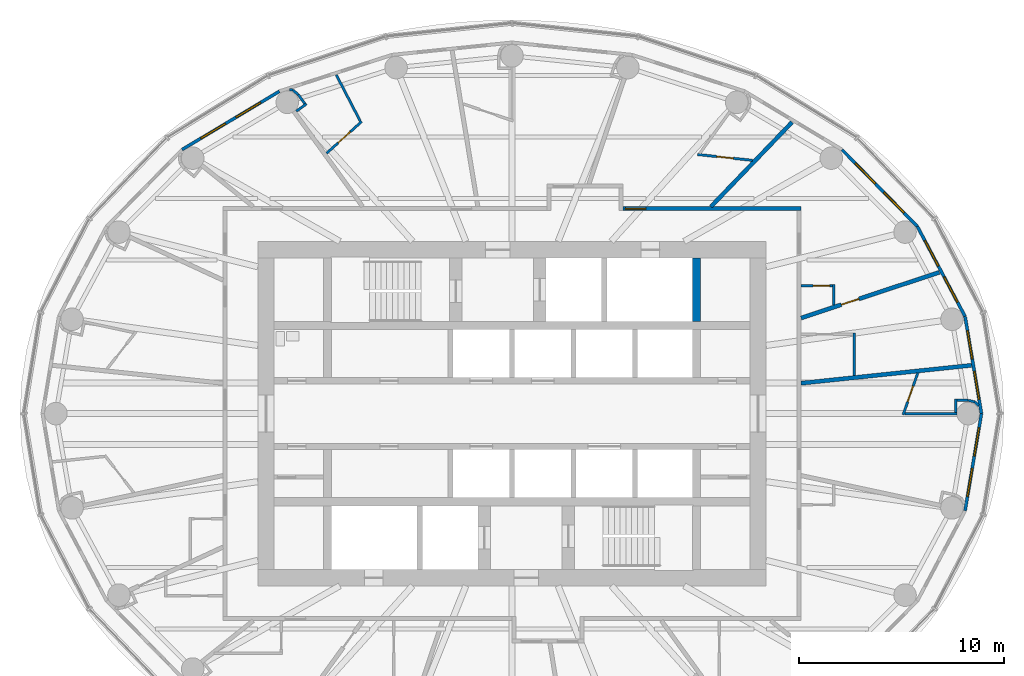
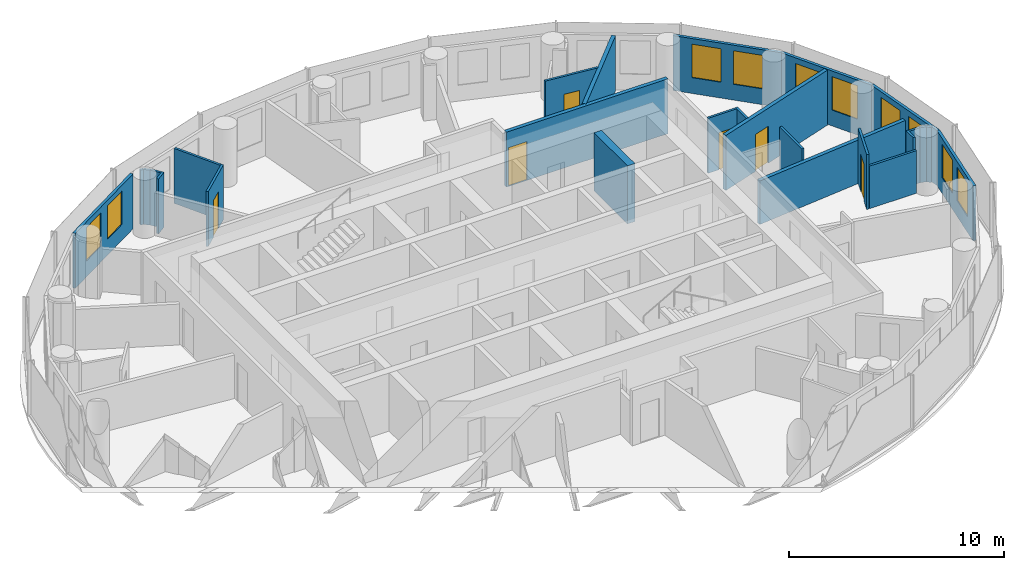
# One storey, part 11 of 14: 26 walls, 10 windows, 6 doors, 16 openings.
"""IFC4 building model written with IfcOpenShell, lengths in metres."""

from ifc_helpers import new_model, si_unit, direction, frame, frame_2d, origin, place, context, subcontext, project, spatial, rectangle, extrude, material, layer, layer_set, type_object, element, fill, save


model = new_model("IFC4")

# Units and contexts
model_context = context("Model", 3, precision=1e-05, world=origin(), true_north=direction((0.0, 1.0)))
body_context = subcontext(model_context, "Body", "Model", "MODEL_VIEW")
ifc_project = project(units=[si_unit("LENGTHUNIT", "METRE"), si_unit("AREAUNIT", "SQUARE_METRE"), si_unit("VOLUMEUNIT", "CUBIC_METRE"), si_unit("PLANEANGLEUNIT", "RADIAN"), si_unit("MASSUNIT", "GRAM", prefix="KILO")], contexts=[model_context])

# Site, building, storey
site_placement = place(None, origin())
site = spatial("IfcSite", under=ifc_project, at=site_placement, CompositionType="ELEMENT")
building_placement = place(site_placement, origin())
building = spatial("IfcBuilding", under=site, at=building_placement, Name="Hankou Lantern Tower", CompositionType="ELEMENT")
storey_placement = place(building_placement, frame((0.0, 0.0, 176.39990234375)))
storey = spatial("IfcBuildingStorey", under=building, at=storey_placement, Name="L47", CompositionType="ELEMENT", Elevation=176.39990234375)

# Wall
ifc_material_1 = material(Name="Concrete C60", Category="concrete")
ifc_layer_1 = layer(ifc_material_1, 0.39990234375)
ifc_layer_set_1 = layer_set([ifc_layer_1], Name="Concrete C60")
wall_type_1 = type_object("IfcWallType", Name="CW4 CORE CROSS WALL 400", PredefinedType="SHEAR", material=ifc_layer_set_1)
wall_1_placement = place(storey_placement, frame((9.0, 4.5, 0.0), z_axis=(0.0, 0.0, 1.0), x_axis=(0.0, 1.0, 0.0)))
element("IfcWall", 1, at=wall_1_placement, inside=storey, type_object=wall_type_1, Name="Core strip wall L47", PredefinedType="SHEAR", context=body_context, shape_type="SweptSolid", body=[
    extrude(rectangle(XDim=3.10009765625, YDim=0.39990234375, at=frame_2d((1.550048828125, 0.0))), origin(), (0.0, 0.0, 1.0), 3.300048828125),
])

# Wall, openings, windows
ifc_material_2 = material(Name="Aluminium spandrel panel on steel studs", Category="steel")
ifc_layer_2 = layer(ifc_material_2, 0.14990234375)
ifc_layer_set_2 = layer_set([ifc_layer_2], Name="Aluminium spandrel panel on steel studs")
wall_type_2 = type_object("IfcWallType", Name="EW1 INNER SKIN WALL 150", PredefinedType="ELEMENTEDWALL", material=ifc_layer_set_2)
wall_2_placement = place(storey_placement, frame((22.89990234375, 0.0, 0.0), z_axis=(0.0, 0.0, 1.0), x_axis=(-0.166162111254, 0.986098449843, 0.0)))
wall_2 = element("IfcWall", 2, at=wall_2_placement, inside=storey, type_object=wall_type_2, Name="Inner skin R01-R02 L47", PredefinedType="ELEMENTEDWALL", context=body_context, shape_type="SweptSolid", body=[
    extrude(rectangle(XDim=4.8046875, YDim=0.14990234375, at=frame_2d((2.40234375, 0.0))), origin(), (0.0, 0.0, 1.0), 3.1201171875),
])
opening_1_placement = place(wall_2_placement, frame((0.7021484375, 0.0, 0.89990234375)))
opening_1 = element("IfcOpeningElement", 3, at=opening_1_placement, cuts=wall_2, Name="Opening W3", PredefinedType="OPENING", context=body_context, shape_type="SweptSolid", body=[
    extrude(rectangle(XDim=1.39990234375, YDim=1.89990234375, at=frame_2d((0.699951171875, 0.949951171875))), frame((0.0, 0.0849609375, 0.0), z_axis=(0.0, -1.0, 0.0), x_axis=(1.0, 0.0, 0.0)), (0.0, 0.0, 1.0), 0.169921875),
])
opening_2_placement = place(wall_2_placement, frame((2.7021484375, 0.0, 0.89990234375)))
opening_2 = element("IfcOpeningElement", 4, at=opening_2_placement, cuts=wall_2, Name="Opening W3", PredefinedType="OPENING", context=body_context, shape_type="SweptSolid", body=[
    extrude(rectangle(XDim=1.39990234375, YDim=1.89990234375, at=frame_2d((0.699951171875, 0.949951171875))), frame((0.0, 0.0849609375, 0.0), z_axis=(0.0, -1.0, 0.0), x_axis=(1.0, 0.0, 0.0)), (0.0, 0.0, 1.0), 0.169921875),
])
ifc_material_3 = material(Name="Aluminium framed double glazed window", Category="aluminium")
window_type = type_object("IfcWindowType", Name="W3 GUEST ROOM WINDOW 1400X1900", PartitioningType="DOUBLE_PANEL_VERTICAL", PredefinedType="WINDOW", material=ifc_material_3)
window_1_placement = place(opening_1_placement, origin())
window_1 = element("IfcWindow", 5, at=window_1_placement, inside=storey, type_object=window_type, Name="Window R01.1 L47", OverallHeight=1.89990234375, OverallWidth=1.39990234375, PartitioningType="SINGLE_PANEL", PredefinedType="WINDOW", context=body_context, shape_type="SweptSolid", body=[
    extrude(rectangle(XDim=1.39990234375, YDim=1.89990234375, at=frame_2d((0.699951171875, 0.949951171875))), frame((0.0, 0.030029296875, 0.0), z_axis=(0.0, -1.0, 0.0), x_axis=(1.0, 0.0, 0.0)), (0.0, 0.0, 1.0), 0.06005859375),
])
fill(opening_1, window_1)
window_2_placement = place(opening_2_placement, origin())
window_2 = element("IfcWindow", 6, at=window_2_placement, inside=storey, type_object=window_type, Name="Window R01.2 L47", OverallHeight=1.89990234375, OverallWidth=1.39990234375, PartitioningType="SINGLE_PANEL", PredefinedType="WINDOW", context=body_context, shape_type="SweptSolid", body=[
    extrude(rectangle(XDim=1.39990234375, YDim=1.89990234375, at=frame_2d((0.699951171875, 0.949951171875))), frame((0.0, 0.030029296875, 0.0), z_axis=(0.0, -1.0, 0.0), x_axis=(1.0, 0.0, 0.0)), (0.0, 0.0, 1.0), 0.06005859375),
])
fill(opening_2, window_2)

wall_3_placement = place(storey_placement, frame((22.1015625, 4.73779296875, 0.0), z_axis=(0.0, 0.0, 1.0), x_axis=(-0.468428906714, 0.883501193748, 0.0)))
wall_3 = element("IfcWall", 7, at=wall_3_placement, inside=storey, type_object=wall_type_2, Name="Inner skin R02-R03 L47", PredefinedType="ELEMENTEDWALL", context=body_context, shape_type="SweptSolid", body=[
    extrude(rectangle(XDim=4.9736328125, YDim=0.14990234375, at=frame_2d((2.48681640625, 0.0))), origin(), (0.0, 0.0, 1.0), 3.1201171875),
])
opening_3_placement = place(wall_3_placement, frame((0.786865234375, 0.0, 0.89990234375)))
opening_3 = element("IfcOpeningElement", 8, at=opening_3_placement, cuts=wall_3, Name="Opening W3", PredefinedType="OPENING", context=body_context, shape_type="SweptSolid", body=[
    extrude(rectangle(XDim=1.39990234375, YDim=1.89990234375, at=frame_2d((0.699951171875, 0.949951171875))), frame((0.0, 0.0849609375, 0.0), z_axis=(0.0, -1.0, 0.0), x_axis=(1.0, 0.0, 0.0)), (0.0, 0.0, 1.0), 0.169921875),
])
opening_4_placement = place(wall_3_placement, frame((2.786865234375, 0.0, 0.89990234375)))
opening_4 = element("IfcOpeningElement", 9, at=opening_4_placement, cuts=wall_3, Name="Opening W3", PredefinedType="OPENING", context=body_context, shape_type="SweptSolid", body=[
    extrude(rectangle(XDim=1.39990234375, YDim=1.89990234375, at=frame_2d((0.699951171875, 0.949951171875))), frame((0.0, 0.0849609375, 0.0), z_axis=(0.0, -1.0, 0.0), x_axis=(1.0, 0.0, 0.0)), (0.0, 0.0, 1.0), 0.169921875),
])
window_3_placement = place(opening_3_placement, origin())
window_3 = element("IfcWindow", 10, at=window_3_placement, inside=storey, type_object=window_type, Name="Window R02.1 L47", OverallHeight=1.89990234375, OverallWidth=1.39990234375, PartitioningType="SINGLE_PANEL", PredefinedType="WINDOW", context=body_context, shape_type="SweptSolid", body=[
    extrude(rectangle(XDim=1.39990234375, YDim=1.89990234375, at=frame_2d((0.699951171875, 0.949951171875))), frame((0.0, 0.030029296875, 0.0), z_axis=(0.0, -1.0, 0.0), x_axis=(1.0, 0.0, 0.0)), (0.0, 0.0, 1.0), 0.06005859375),
])
fill(opening_3, window_3)
window_4_placement = place(opening_4_placement, origin())
window_4 = element("IfcWindow", 11, at=window_4_placement, inside=storey, type_object=window_type, Name="Window R02.2 L47", OverallHeight=1.89990234375, OverallWidth=1.39990234375, PartitioningType="SINGLE_PANEL", PredefinedType="WINDOW", context=body_context, shape_type="SweptSolid", body=[
    extrude(rectangle(XDim=1.39990234375, YDim=1.89990234375, at=frame_2d((0.699951171875, 0.949951171875))), frame((0.0, 0.030029296875, 0.0), z_axis=(0.0, -1.0, 0.0), x_axis=(1.0, 0.0, 0.0)), (0.0, 0.0, 1.0), 0.06005859375),
])
fill(opening_4, window_4)

wall_4_placement = place(storey_placement, frame((19.771728515625, 9.132080078125, 0.0), z_axis=(0.0, 0.0, 1.0), x_axis=(-0.700727467776, 0.71342905457, 0.0)))
wall_4 = element("IfcWall", 12, at=wall_4_placement, inside=storey, type_object=wall_type_2, Name="Inner skin R03-R04 L47", PredefinedType="ELEMENTEDWALL", context=body_context, shape_type="SweptSolid", body=[
    extrude(rectangle(XDim=5.247314453125, YDim=0.14990234375, at=frame_2d((2.62353515625, 0.0))), origin(), (0.0, 0.0, 1.0), 3.1201171875),
])
opening_5_placement = place(wall_4_placement, frame((0.923583984375, 0.0, 0.89990234375)))
opening_5 = element("IfcOpeningElement", 13, at=opening_5_placement, cuts=wall_4, Name="Opening W3", PredefinedType="OPENING", context=body_context, shape_type="SweptSolid", body=[
    extrude(rectangle(XDim=1.39990234375, YDim=1.89990234375, at=frame_2d((0.699951171875, 0.949951171875))), frame((0.0, 0.0849609375, 0.0), z_axis=(0.0, -1.0, 0.0), x_axis=(1.0, 0.0, 0.0)), (0.0, 0.0, 1.0), 0.169921875),
])
opening_6_placement = place(wall_4_placement, frame((2.923583984375, 0.0, 0.89990234375)))
opening_6 = element("IfcOpeningElement", 14, at=opening_6_placement, cuts=wall_4, Name="Opening W3", PredefinedType="OPENING", context=body_context, shape_type="SweptSolid", body=[
    extrude(rectangle(XDim=1.39990234375, YDim=1.89990234375, at=frame_2d((0.699951171875, 0.949951171875))), frame((0.0, 0.0849609375, 0.0), z_axis=(0.0, -1.0, 0.0), x_axis=(1.0, 0.0, 0.0)), (0.0, 0.0, 1.0), 0.169921875),
])
window_5_placement = place(opening_5_placement, origin())
window_5 = element("IfcWindow", 15, at=window_5_placement, inside=storey, type_object=window_type, Name="Window R03.1 L47", OverallHeight=1.89990234375, OverallWidth=1.39990234375, PartitioningType="SINGLE_PANEL", PredefinedType="WINDOW", context=body_context, shape_type="SweptSolid", body=[
    extrude(rectangle(XDim=1.39990234375, YDim=1.89990234375, at=frame_2d((0.699951171875, 0.949951171875))), frame((0.0, 0.030029296875, 0.0), z_axis=(0.0, -1.0, 0.0), x_axis=(1.0, 0.0, 0.0)), (0.0, 0.0, 1.0), 0.06005859375),
])
fill(opening_5, window_5)
window_6_placement = place(opening_6_placement, origin())
window_6 = element("IfcWindow", 16, at=window_6_placement, inside=storey, type_object=window_type, Name="Window R03.2 L47", OverallHeight=1.89990234375, OverallWidth=1.39990234375, PartitioningType="SINGLE_PANEL", PredefinedType="WINDOW", context=body_context, shape_type="SweptSolid", body=[
    extrude(rectangle(XDim=1.39990234375, YDim=1.89990234375, at=frame_2d((0.699951171875, 0.949951171875))), frame((0.0, 0.030029296875, 0.0), z_axis=(0.0, -1.0, 0.0), x_axis=(1.0, 0.0, 0.0)), (0.0, 0.0, 1.0), 0.06005859375),
])
fill(opening_6, window_6)

wall_5_placement = place(storey_placement, frame((-11.346435546875, 15.72216796875, 0.0), z_axis=(0.0, 0.0, 1.0), x_axis=(-0.857695199231, -0.514158482587, 0.0)))
wall_5 = element("IfcWall", 17, at=wall_5_placement, inside=storey, type_object=wall_type_2, Name="Inner skin R09-R10 L47", PredefinedType="ELEMENTEDWALL", context=body_context, shape_type="SweptSolid", body=[
    extrude(rectangle(XDim=5.5361328125, YDim=0.14990234375, at=frame_2d((2.76806640625, 0.0))), origin(), (0.0, 0.0, 1.0), 3.1201171875),
])
opening_7_placement = place(wall_5_placement, frame((1.068115234375, 0.0, 0.89990234375)))
opening_7 = element("IfcOpeningElement", 18, at=opening_7_placement, cuts=wall_5, Name="Opening W3", PredefinedType="OPENING", context=body_context, shape_type="SweptSolid", body=[
    extrude(rectangle(XDim=1.39990234375, YDim=1.89990234375, at=frame_2d((0.699951171875, 0.949951171875))), frame((0.0, 0.0849609375, 0.0), z_axis=(0.0, -1.0, 0.0), x_axis=(1.0, 0.0, 0.0)), (0.0, 0.0, 1.0), 0.169921875),
])
opening_8_placement = place(wall_5_placement, frame((3.068115234375, 0.0, 0.89990234375)))
opening_8 = element("IfcOpeningElement", 19, at=opening_8_placement, cuts=wall_5, Name="Opening W3", PredefinedType="OPENING", context=body_context, shape_type="SweptSolid", body=[
    extrude(rectangle(XDim=1.39990234375, YDim=1.89990234375, at=frame_2d((0.699951171875, 0.949951171875))), frame((0.0, 0.0849609375, 0.0), z_axis=(0.0, -1.0, 0.0), x_axis=(1.0, 0.0, 0.0)), (0.0, 0.0, 1.0), 0.169921875),
])
window_7_placement = place(opening_7_placement, origin())
window_7 = element("IfcWindow", 20, at=window_7_placement, inside=storey, type_object=window_type, Name="Window R09.1 L47", OverallHeight=1.89990234375, OverallWidth=1.39990234375, PartitioningType="SINGLE_PANEL", PredefinedType="WINDOW", context=body_context, shape_type="SweptSolid", body=[
    extrude(rectangle(XDim=1.39990234375, YDim=1.89990234375, at=frame_2d((0.699951171875, 0.949951171875))), frame((0.0, 0.030029296875, 0.0), z_axis=(0.0, -1.0, 0.0), x_axis=(1.0, 0.0, 0.0)), (0.0, 0.0, 1.0), 0.06005859375),
])
fill(opening_7, window_7)
window_8_placement = place(opening_8_placement, origin())
window_8 = element("IfcWindow", 21, at=window_8_placement, inside=storey, type_object=window_type, Name="Window R09.2 L47", OverallHeight=1.89990234375, OverallWidth=1.39990234375, PartitioningType="SINGLE_PANEL", PredefinedType="WINDOW", context=body_context, shape_type="SweptSolid", body=[
    extrude(rectangle(XDim=1.39990234375, YDim=1.89990234375, at=frame_2d((0.699951171875, 0.949951171875))), frame((0.0, 0.030029296875, 0.0), z_axis=(0.0, -1.0, 0.0), x_axis=(1.0, 0.0, 0.0)), (0.0, 0.0, 1.0), 0.06005859375),
])
fill(opening_8, window_8)

wall_6_placement = place(storey_placement, frame((22.1015625, -4.73779296875, 0.0), z_axis=(0.0, 0.0, 1.0), x_axis=(0.166162111254, 0.986098449843, 0.0)))
wall_6 = element("IfcWall", 22, at=wall_6_placement, inside=storey, type_object=wall_type_2, Name="Inner skin R24-R01 L47", PredefinedType="ELEMENTEDWALL", context=body_context, shape_type="SweptSolid", body=[
    extrude(rectangle(XDim=4.8046875, YDim=0.14990234375, at=frame_2d((2.40234375, 0.0))), origin(), (0.0, 0.0, 1.0), 3.1201171875),
])
opening_9_placement = place(wall_6_placement, frame((0.7021484375, 0.0, 0.89990234375)))
opening_9 = element("IfcOpeningElement", 23, at=opening_9_placement, cuts=wall_6, Name="Opening W3", PredefinedType="OPENING", context=body_context, shape_type="SweptSolid", body=[
    extrude(rectangle(XDim=1.39990234375, YDim=1.89990234375, at=frame_2d((0.699951171875, 0.949951171875))), frame((0.0, 0.0849609375, 0.0), z_axis=(0.0, -1.0, 0.0), x_axis=(1.0, 0.0, 0.0)), (0.0, 0.0, 1.0), 0.169921875),
])
opening_10_placement = place(wall_6_placement, frame((2.7021484375, 0.0, 0.89990234375)))
opening_10 = element("IfcOpeningElement", 24, at=opening_10_placement, cuts=wall_6, Name="Opening W3", PredefinedType="OPENING", context=body_context, shape_type="SweptSolid", body=[
    extrude(rectangle(XDim=1.39990234375, YDim=1.89990234375, at=frame_2d((0.699951171875, 0.949951171875))), frame((0.0, 0.0849609375, 0.0), z_axis=(0.0, -1.0, 0.0), x_axis=(1.0, 0.0, 0.0)), (0.0, 0.0, 1.0), 0.169921875),
])
window_9_placement = place(opening_9_placement, origin())
window_9 = element("IfcWindow", 25, at=window_9_placement, inside=storey, type_object=window_type, Name="Window R24.1 L47", OverallHeight=1.89990234375, OverallWidth=1.39990234375, PartitioningType="SINGLE_PANEL", PredefinedType="WINDOW", context=body_context, shape_type="SweptSolid", body=[
    extrude(rectangle(XDim=1.39990234375, YDim=1.89990234375, at=frame_2d((0.699951171875, 0.949951171875))), frame((0.0, 0.030029296875, 0.0), z_axis=(0.0, -1.0, 0.0), x_axis=(1.0, 0.0, 0.0)), (0.0, 0.0, 1.0), 0.06005859375),
])
fill(opening_9, window_9)
window_10_placement = place(opening_10_placement, origin())
window_10 = element("IfcWindow", 26, at=window_10_placement, inside=storey, type_object=window_type, Name="Window R24.2 L47", OverallHeight=1.89990234375, OverallWidth=1.39990234375, PartitioningType="SINGLE_PANEL", PredefinedType="WINDOW", context=body_context, shape_type="SweptSolid", body=[
    extrude(rectangle(XDim=1.39990234375, YDim=1.89990234375, at=frame_2d((0.699951171875, 0.949951171875))), frame((0.0, 0.030029296875, 0.0), z_axis=(0.0, -1.0, 0.0), x_axis=(1.0, 0.0, 0.0)), (0.0, 0.0, 1.0), 0.06005859375),
])
fill(opening_10, window_10)

# Walls
ifc_material_4 = material(Name="Masonry lightweight concrete block", Category="masonry")
ifc_layer_3 = layer(ifc_material_4, 0.199951171875)
ifc_layer_set_3 = layer_set([ifc_layer_3], Name="Masonry lightweight concrete block")
wall_type_3 = type_object("IfcWallType", Name="IW1 GUEST ROOM PARTY WALL 200", PredefinedType="PARTITIONING", material=ifc_layer_set_3)
wall_7_placement = place(storey_placement, frame((14.10009765625, 1.4814453125, 0.0), z_axis=(0.0, 0.0, 1.0), x_axis=(0.994524794819, 0.104500873159, 0.0)))
element("IfcWall", 27, at=wall_7_placement, inside=storey, type_object=wall_type_3, Name="Party wall R01-R02", PredefinedType="PARTITIONING", context=body_context, shape_type="SweptSolid", body=[
    extrude(rectangle(XDim=8.361572265625, YDim=0.199951171875, at=frame_2d((4.1806640625, 0.0))), origin(), (0.0, 0.0, 1.0), 2.47021484375),
])
wall_8_placement = place(storey_placement, frame((9.7080078125, 10.10009765625, 0.0), z_axis=(0.0, 0.0, 1.0), x_axis=(0.692978748441, 0.720958011405, 0.0)))
element("IfcWall", 28, at=wall_8_placement, inside=storey, type_object=wall_type_3, Name="Party wall R04-R05", PredefinedType="PARTITIONING", context=body_context, shape_type="SweptSolid", body=[
    extrude(rectangle(XDim=5.70654296875, YDim=0.199951171875, at=frame_2d((2.853271484375, 0.0))), origin(), (0.0, 0.0, 1.0), 3.1201171875),
])

# Wall, opening, door
ifc_material_5 = material(Name="Masonry lightweight concrete block", Category="masonry")
ifc_layer_4 = layer(ifc_material_5, 0.199951171875)
ifc_layer_set_4 = layer_set([ifc_layer_4], Name="Masonry lightweight concrete block")
wall_type_4 = type_object("IfcWallType", Name="IW2 CORRIDOR WALL 200", PredefinedType="PARTITIONING", material=ifc_layer_set_4)
wall_9_placement = place(storey_placement, frame((5.4267578125, 10.0, 0.0), z_axis=(0.0, 0.0, 1.0), x_axis=(1.0, 0.0, 0.0)))
wall_9 = element("IfcWall", 29, at=wall_9_placement, inside=storey, type_object=wall_type_4, Name="Corridor wall north", PredefinedType="PARTITIONING", context=body_context, shape_type="SweptSolid", body=[
    extrude(rectangle(XDim=8.67333984375, YDim=0.199951171875, at=frame_2d((4.336669921875, 0.0))), origin(), (0.0, 0.0, 1.0), 3.1201171875),
])
opening_11_placement = place(wall_9_placement, frame((0.10009765625, 0.0, 0.0)))
opening_11 = element("IfcOpeningElement", 30, at=opening_11_placement, cuts=wall_9, Name="Opening D1", PredefinedType="OPENING", context=body_context, shape_type="SweptSolid", body=[
    extrude(rectangle(XDim=1.0, YDim=2.199951171875, at=frame_2d((0.5, 1.10009765625))), frame((0.0, 0.10986328125, 0.0), z_axis=(0.0, -1.0, 0.0), x_axis=(1.0, 0.0, 0.0)), (0.0, 0.0, 1.0), 0.219970703125),
])
ifc_material_6 = material(Name="Steel door leaf", Category="steel")
door_type_1 = type_object("IfcDoorType", Name="D1 GUEST ROOM DOOR 1000X2200", OperationType="SINGLE_SWING_LEFT", PredefinedType="DOOR", material=ifc_material_6)
door_1_placement = place(opening_11_placement, origin())
door_1 = element("IfcDoor", 31, at=door_1_placement, inside=storey, type_object=door_type_1, Name="Guest room door 4708", OperationType="SINGLE_SWING_LEFT", OverallHeight=2.199951171875, OverallWidth=1.0, PredefinedType="DOOR", context=body_context, shape_type="SweptSolid", body=[
    extrude(rectangle(XDim=1.0, YDim=2.199951171875, at=frame_2d((0.5, 1.10009765625))), frame((0.0, 0.02490234375, 0.0), z_axis=(0.0, -1.0, 0.0), x_axis=(1.0, 0.0, 0.0)), (0.0, 0.0, 1.0), 0.050048828125),
])
fill(opening_11, door_1)

ifc_material_7 = material(Name="Masonry lightweight concrete block", Category="masonry")
ifc_layer_5 = layer(ifc_material_7, 0.1201171875)
ifc_layer_set_5 = layer_set([ifc_layer_5], Name="Masonry lightweight concrete block")
wall_type_5 = type_object("IfcWallType", Name="IW3 BATHROOM WALL 120", PredefinedType="PARTITIONING", material=ifc_layer_set_5)
wall_10_placement = place(storey_placement, frame((19.793212890625, 1.979248046875, 0.0), z_axis=(0.0, 0.0, 1.0), x_axis=(-0.330587353123, -0.943775398045, 0.0)))
wall_10 = element("IfcWall", 32, at=wall_10_placement, inside=storey, type_object=wall_type_5, Name="Box wall 4706 1", PredefinedType="PARTITIONING", context=body_context, shape_type="SweptSolid", body=[
    extrude(rectangle(XDim=2.1572265625, YDim=0.1201171875, at=frame_2d((1.07861328125, 0.0))), origin(), (0.0, 0.0, 1.0), 3.1201171875),
])
opening_12_placement = place(wall_10_placement, frame((0.678466796875, 0.0, 0.0)))
opening_12 = element("IfcOpeningElement", 33, at=opening_12_placement, cuts=wall_10, Name="Opening D3", PredefinedType="OPENING", context=body_context, shape_type="SweptSolid", body=[
    extrude(rectangle(XDim=0.800048828125, YDim=2.10009765625, at=frame_2d((0.39990234375, 1.050048828125))), frame((0.0, 0.070068359375, 0.0), z_axis=(0.0, -1.0, 0.0), x_axis=(1.0, 0.0, 0.0)), (0.0, 0.0, 1.0), 0.14013671875),
])
ifc_material_8 = material(Name="Timber door leaf", Category="wood")
door_type_2 = type_object("IfcDoorType", Name="D3 BATHROOM DOOR 800X2100", OperationType="SINGLE_SWING_LEFT", PredefinedType="DOOR", material=ifc_material_8)
door_2_placement = place(opening_12_placement, origin())
door_2 = element("IfcDoor", 34, at=door_2_placement, inside=storey, type_object=door_type_2, Name="En-suite bathroom 4706 door", OperationType="SINGLE_SWING_RIGHT", OverallHeight=2.10009765625, OverallWidth=0.800048828125, PredefinedType="DOOR", context=body_context, shape_type="SweptSolid", body=[
    extrude(rectangle(XDim=0.800048828125, YDim=2.10009765625, at=frame_2d((0.39990234375, 1.050048828125))), frame((0.0, 0.02490234375, 0.0), z_axis=(0.0, -1.0, 0.0), x_axis=(1.0, 0.0, 0.0)), (0.0, 0.0, 1.0), 0.050048828125),
])
fill(opening_12, door_2)

# Walls
wall_11_placement = place(storey_placement, frame((19.159912109375, 0.0, 0.0), z_axis=(0.0, 0.0, 1.0), x_axis=(1.0, 0.0, 0.0)))
element("IfcWall", 35, at=wall_11_placement, inside=storey, type_object=wall_type_5, Name="Box wall 4706 2", PredefinedType="PARTITIONING", context=body_context, shape_type="SweptSolid", body=[
    extrude(rectangle(XDim=2.5400390625, YDim=0.1201171875, at=frame_2d((1.27001953125, 0.0))), origin(), (0.0, 0.0, 1.0), 2.420166015625),
])
wall_12_placement = place(storey_placement, frame((21.639892578125, 0.06005859375, 0.0), z_axis=(0.0, 0.0, 1.0), x_axis=(0.0, 1.0, 0.0)))
element("IfcWall", 36, at=wall_12_placement, inside=storey, type_object=wall_type_5, Name="Column casing 4706 return", PredefinedType="PARTITIONING", context=body_context, shape_type="SweptSolid", body=[
    extrude(rectangle(XDim=0.652099609375, YDim=0.1201171875, at=frame_2d((0.326171875, 0.0))), origin(), (0.0, 0.0, 1.0), 3.1201171875),
])
wall_13_placement = place(storey_placement, frame((21.699951171875, 0.65234375, 0.0), z_axis=(0.0, 0.0, 1.0), x_axis=(1.0, 0.0, 0.0)))
element("IfcWall", 37, at=wall_13_placement, inside=storey, type_object=wall_type_5, Name="Column casing 4706", PredefinedType="PARTITIONING", context=body_context, shape_type="SweptSolid", body=[
    extrude(rectangle(XDim=0.550048828125, YDim=0.1201171875, at=frame_2d((0.27490234375, 0.0))), origin(), (0.0, 0.0, 1.0), 3.1201171875),
])
wall_14_placement = place(storey_placement, frame((22.25, 0.65234375, 0.0), z_axis=(0.0, 0.0, 1.0), x_axis=(0.965922233104, -0.258832454679, 0.0)))
element("IfcWall", 38, at=wall_14_placement, inside=storey, type_object=wall_type_5, Name="Column casing 4706", PredefinedType="PARTITIONING", context=body_context, shape_type="SweptSolid", body=[
    extrude(rectangle(XDim=0.337646484375, YDim=0.1201171875, at=frame_2d((0.1689453125, 0.0))), origin(), (0.0, 0.0, 1.0), 3.1201171875),
])
wall_15_placement = place(storey_placement, frame((22.576171875, 0.56494140625, 0.0), z_axis=(0.0, 0.0, 1.0), x_axis=(0.706639272724, -0.707573980757, 0.0)))
element("IfcWall", 39, at=wall_15_placement, inside=storey, type_object=wall_type_5, Name="Column casing 4706", PredefinedType="PARTITIONING", context=body_context, shape_type="SweptSolid", body=[
    extrude(rectangle(XDim=0.26123046875, YDim=0.1201171875, at=frame_2d((0.130615234375, 0.0))), origin(), (0.0, 0.0, 1.0), 3.1201171875),
])
wall_16_placement = place(storey_placement, frame((16.699951171875, 1.854736328125, 0.0), z_axis=(0.0, 0.0, 1.0), x_axis=(0.0, 1.0, 0.0)))
element("IfcWall", 40, at=wall_16_placement, inside=storey, type_object=wall_type_5, Name="Box wall 4707A 1", PredefinedType="PARTITIONING", context=body_context, shape_type="SweptSolid", body=[
    extrude(rectangle(XDim=2.066650390625, YDim=0.1201171875, at=frame_2d((1.033203125, 0.0))), origin(), (0.0, 0.0, 1.0), 3.1201171875),
])
wall_17_placement = place(storey_placement, frame((15.699951171875, 5.29052734375, 0.0), z_axis=(0.0, 0.0, 1.0), x_axis=(0.0, 1.0, 0.0)))
element("IfcWall", 41, at=wall_17_placement, inside=storey, type_object=wall_type_5, Name="Box wall 4707C 1", PredefinedType="PARTITIONING", context=body_context, shape_type="SweptSolid", body=[
    extrude(rectangle(XDim=1.010986328125, YDim=0.1201171875, at=frame_2d((0.50537109375, 0.0))), origin(), (0.0, 0.0, 1.0), 3.1201171875),
])

# Wall, opening, door
wall_18_placement = place(storey_placement, frame((14.10009765625, 6.241455078125, 0.0), z_axis=(0.0, 0.0, 1.0), x_axis=(1.0, 0.0, 0.0)))
wall_18 = element("IfcWall", 42, at=wall_18_placement, inside=storey, type_object=wall_type_5, Name="Box wall 4707C 1", PredefinedType="PARTITIONING", context=body_context, shape_type="SweptSolid", body=[
    extrude(rectangle(XDim=1.539794921875, YDim=0.1201171875, at=frame_2d((0.77001953125, 0.0))), origin(), (0.0, 0.0, 1.0), 3.1201171875),
])
opening_13_placement = place(wall_18_placement, frame((0.590087890625, 0.0, 0.0)))
opening_13 = element("IfcOpeningElement", 43, at=opening_13_placement, cuts=wall_18, Name="Opening D3", PredefinedType="OPENING", context=body_context, shape_type="SweptSolid", body=[
    extrude(rectangle(XDim=0.800048828125, YDim=2.10009765625, at=frame_2d((0.39990234375, 1.050048828125))), frame((0.0, 0.070068359375, 0.0), z_axis=(0.0, -1.0, 0.0), x_axis=(1.0, 0.0, 0.0)), (0.0, 0.0, 1.0), 0.14013671875),
])
door_3_placement = place(opening_13_placement, origin())
door_3 = element("IfcDoor", 44, at=door_3_placement, inside=storey, type_object=door_type_2, Name="Corner suite 4707 guest WC door", OperationType="SINGLE_SWING_LEFT", OverallHeight=2.10009765625, OverallWidth=0.800048828125, PredefinedType="DOOR", context=body_context, shape_type="SweptSolid", body=[
    extrude(rectangle(XDim=0.800048828125, YDim=2.10009765625, at=frame_2d((0.39990234375, 1.050048828125))), frame((0.0, 0.02490234375, 0.0), z_axis=(0.0, -1.0, 0.0), x_axis=(1.0, 0.0, 0.0)), (0.0, 0.0, 1.0), 0.050048828125),
])
fill(opening_13, door_3)

wall_19_placement = place(storey_placement, frame((11.735107421875, 12.353271484375, 0.0), z_axis=(0.0, 0.0, 1.0), x_axis=(-0.994390130276, 0.105774613256, 0.0)))
wall_19 = element("IfcWall", 45, at=wall_19_placement, inside=storey, type_object=wall_type_5, Name="Box wall 4708 1", PredefinedType="PARTITIONING", context=body_context, shape_type="SweptSolid", body=[
    extrude(rectangle(XDim=2.693603515625, YDim=0.1201171875, at=frame_2d((1.3466796875, 0.0))), origin(), (0.0, 0.0, 1.0), 3.1201171875),
])
opening_14_placement = place(wall_19_placement, frame((0.94677734375, 0.0, 0.0)))
opening_14 = element("IfcOpeningElement", 46, at=opening_14_placement, cuts=wall_19, Name="Opening D3", PredefinedType="OPENING", context=body_context, shape_type="SweptSolid", body=[
    extrude(rectangle(XDim=0.800048828125, YDim=2.10009765625, at=frame_2d((0.39990234375, 1.050048828125))), frame((0.0, 0.070068359375, 0.0), z_axis=(0.0, -1.0, 0.0), x_axis=(1.0, 0.0, 0.0)), (0.0, 0.0, 1.0), 0.14013671875),
])
door_4_placement = place(opening_14_placement, origin())
door_4 = element("IfcDoor", 47, at=door_4_placement, inside=storey, type_object=door_type_2, Name="En-suite bathroom 4708 door", OperationType="SINGLE_SWING_LEFT", OverallHeight=2.10009765625, OverallWidth=0.800048828125, PredefinedType="DOOR", context=body_context, shape_type="SweptSolid", body=[
    extrude(rectangle(XDim=0.800048828125, YDim=2.10009765625, at=frame_2d((0.39990234375, 1.050048828125))), frame((0.0, 0.02490234375, 0.0), z_axis=(0.0, -1.0, 0.0), x_axis=(1.0, 0.0, 0.0)), (0.0, 0.0, 1.0), 0.050048828125),
])
fill(opening_14, door_4)

wall_20_placement = place(storey_placement, frame((-9.041748046875, 12.699462890625, 0.0), z_axis=(0.0, 0.0, 1.0), x_axis=(0.741100257539, 0.671394376112, 0.0)))
wall_20 = element("IfcWall", 48, at=wall_20_placement, inside=storey, type_object=wall_type_5, Name="Box wall 4710 1", PredefinedType="PARTITIONING", context=body_context, shape_type="SweptSolid", body=[
    extrude(rectangle(XDim=2.3115234375, YDim=0.1201171875, at=frame_2d((1.15576171875, 0.0))), origin(), (0.0, 0.0, 1.0), 3.1201171875),
])
opening_15_placement = place(wall_20_placement, frame((0.755859375, 0.0, 0.0)))
opening_15 = element("IfcOpeningElement", 49, at=opening_15_placement, cuts=wall_20, Name="Opening D3", PredefinedType="OPENING", context=body_context, shape_type="SweptSolid", body=[
    extrude(rectangle(XDim=0.800048828125, YDim=2.10009765625, at=frame_2d((0.39990234375, 1.050048828125))), frame((0.0, 0.070068359375, 0.0), z_axis=(0.0, -1.0, 0.0), x_axis=(1.0, 0.0, 0.0)), (0.0, 0.0, 1.0), 0.14013671875),
])
door_5_placement = place(opening_15_placement, origin())
door_5 = element("IfcDoor", 50, at=door_5_placement, inside=storey, type_object=door_type_2, Name="En-suite bathroom 4710 door", OperationType="SINGLE_SWING_RIGHT", OverallHeight=2.10009765625, OverallWidth=0.800048828125, PredefinedType="DOOR", context=body_context, shape_type="SweptSolid", body=[
    extrude(rectangle(XDim=0.800048828125, YDim=2.10009765625, at=frame_2d((0.39990234375, 1.050048828125))), frame((0.0, 0.02490234375, 0.0), z_axis=(0.0, -1.0, 0.0), x_axis=(1.0, 0.0, 0.0)), (0.0, 0.0, 1.0), 0.050048828125),
])
fill(opening_15, door_5)

# Walls
wall_21_placement = place(storey_placement, frame((-7.400634765625, 14.264404296875, 0.0), z_axis=(0.0, 0.0, 1.0), x_axis=(-0.460505131319, 0.887657041897, 0.0)))
element("IfcWall", 51, at=wall_21_placement, inside=storey, type_object=wall_type_5, Name="Box wall 4710 2", PredefinedType="PARTITIONING", context=body_context, shape_type="SweptSolid", body=[
    extrude(rectangle(XDim=2.5400390625, YDim=0.1201171875, at=frame_2d((1.27001953125, 0.0))), origin(), (0.0, 0.0, 1.0), 3.1201171875),
])
wall_22_placement = place(storey_placement, frame((-10.521728515625, 14.750244140625, 0.0), z_axis=(0.0, 0.0, 1.0), x_axis=(0.811057588427, 0.584966313777, 0.0)))
element("IfcWall", 52, at=wall_22_placement, inside=storey, type_object=wall_type_5, Name="Column casing 4710 return", PredefinedType="PARTITIONING", context=body_context, shape_type="SweptSolid", body=[
    extrude(rectangle(XDim=0.6123046875, YDim=0.1201171875, at=frame_2d((0.30615234375, 0.0))), origin(), (0.0, 0.0, 1.0), 3.1201171875),
])
wall_23_placement = place(storey_placement, frame((-10.10888671875, 15.121826171875, 0.0), z_axis=(0.0, 0.0, 1.0), x_axis=(-0.585344718358, 0.810784534072, 0.0)))
element("IfcWall", 53, at=wall_23_placement, inside=storey, type_object=wall_type_5, Name="Column casing 4710", PredefinedType="PARTITIONING", context=body_context, shape_type="SweptSolid", body=[
    extrude(rectangle(XDim=0.550048828125, YDim=0.1201171875, at=frame_2d((0.27490234375, 0.0))), origin(), (0.0, 0.0, 1.0), 3.1201171875),
])
wall_24_placement = place(storey_placement, frame((-10.430908203125, 15.56787109375, 0.0), z_axis=(0.0, 0.0, 1.0), x_axis=(-0.77505137267, 0.631898227345, 0.0)))
element("IfcWall", 54, at=wall_24_placement, inside=storey, type_object=wall_type_5, Name="Column casing 4710", PredefinedType="PARTITIONING", context=body_context, shape_type="SweptSolid", body=[
    extrude(rectangle(XDim=0.337646484375, YDim=0.1201171875, at=frame_2d((0.1689453125, 0.0))), origin(), (0.0, 0.0, 1.0), 3.1201171875),
])
wall_25_placement = place(storey_placement, frame((-10.692626953125, 15.78125, 0.0), z_axis=(0.0, 0.0, 1.0), x_axis=(-0.987256785332, 0.159135287777, 0.0)))
element("IfcWall", 55, at=wall_25_placement, inside=storey, type_object=wall_type_5, Name="Column casing 4710", PredefinedType="PARTITIONING", context=body_context, shape_type="SweptSolid", body=[
    extrude(rectangle(XDim=0.157958984375, YDim=0.1201171875, at=frame_2d((0.0791015625, 0.0))), origin(), (0.0, 0.0, 1.0), 3.1201171875),
])

# Wall, opening, door
ifc_material_9 = material(Name="Masonry lightweight concrete block", Category="masonry")
ifc_layer_6 = layer(ifc_material_9, 0.199951171875)
ifc_layer_set_6 = layer_set([ifc_layer_6], Name="Masonry lightweight concrete block")
wall_type_6 = type_object("IfcWallType", Name="IW6 SUITE PARTITION 200", PredefinedType="PARTITIONING", material=ifc_layer_set_6)
wall_26_placement = place(storey_placement, frame((14.10009765625, 4.661376953125, 0.0), z_axis=(0.0, 0.0, 1.0), x_axis=(0.949453216399, 0.313908569285, 0.0)))
wall_26 = element("IfcWall", 56, at=wall_26_placement, inside=storey, type_object=wall_type_6, Name="Suite partition R02-R03", PredefinedType="PARTITIONING", context=body_context, shape_type="SweptSolid", body=[
    extrude(rectangle(XDim=7.108642578125, YDim=0.199951171875, at=frame_2d((3.55419921875, 0.0))), origin(), (0.0, 0.0, 1.0), 3.1201171875),
])
opening_16_placement = place(wall_26_placement, frame((2.070068359375, 0.0, 0.0)))
opening_16 = element("IfcOpeningElement", 57, at=opening_16_placement, cuts=wall_26, Name="Opening D27", PredefinedType="OPENING", context=body_context, shape_type="SweptSolid", body=[
    extrude(rectangle(XDim=0.89990234375, YDim=2.10009765625, at=frame_2d((0.449951171875, 1.050048828125))), frame((0.0, 0.10986328125, 0.0), z_axis=(0.0, -1.0, 0.0), x_axis=(1.0, 0.0, 0.0)), (0.0, 0.0, 1.0), 0.219970703125),
])
ifc_material_10 = material(Name="Timber door leaf", Category="wood")
door_type_3 = type_object("IfcDoorType", Name="D27 INTERNAL DOOR 900X2100", OperationType="SINGLE_SWING_LEFT", PredefinedType="DOOR", material=ifc_material_10)
door_6_placement = place(opening_16_placement, origin())
door_6 = element("IfcDoor", 58, at=door_6_placement, inside=storey, type_object=door_type_3, Name="Corner suite 4707 living and dining room door", OperationType="SINGLE_SWING_LEFT", OverallHeight=2.10009765625, OverallWidth=0.89990234375, PredefinedType="DOOR", context=body_context, shape_type="SweptSolid", body=[
    extrude(rectangle(XDim=0.89990234375, YDim=2.10009765625, at=frame_2d((0.449951171875, 1.050048828125))), frame((0.0, 0.02490234375, 0.0), z_axis=(0.0, -1.0, 0.0), x_axis=(1.0, 0.0, 0.0)), (0.0, 0.0, 1.0), 0.050048828125),
])
fill(opening_16, door_6)

save(model, "model.ifc")
